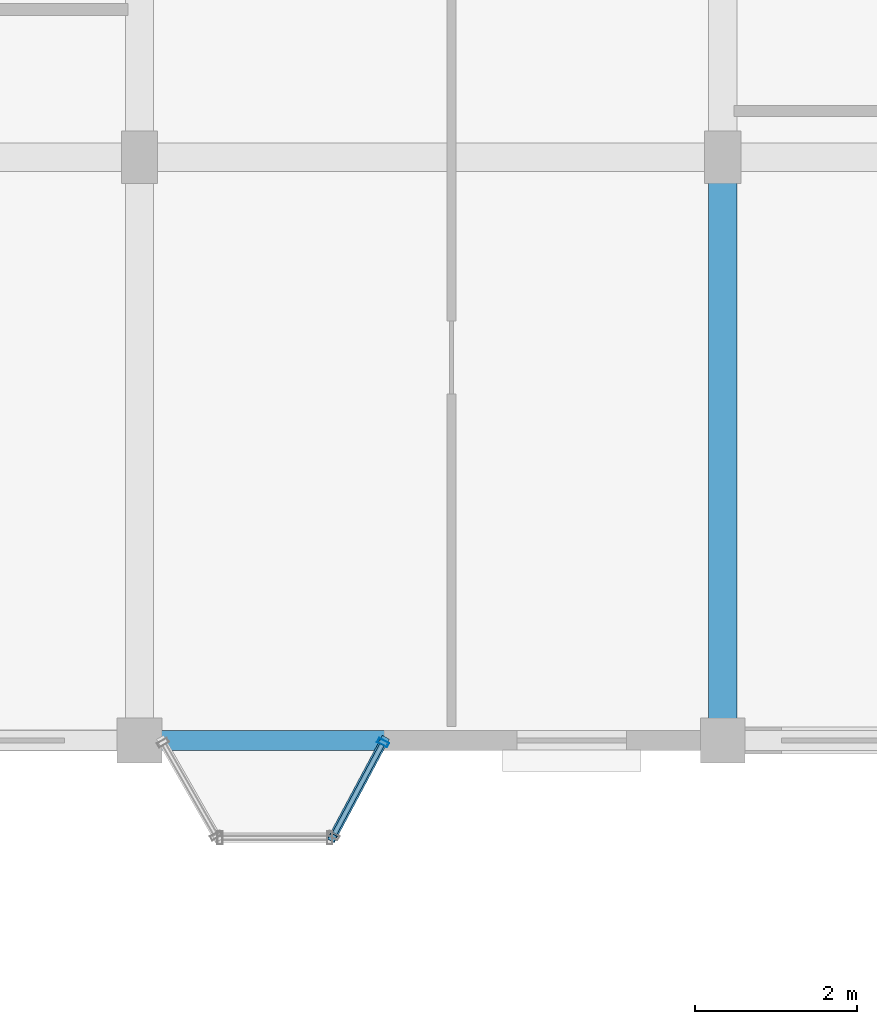
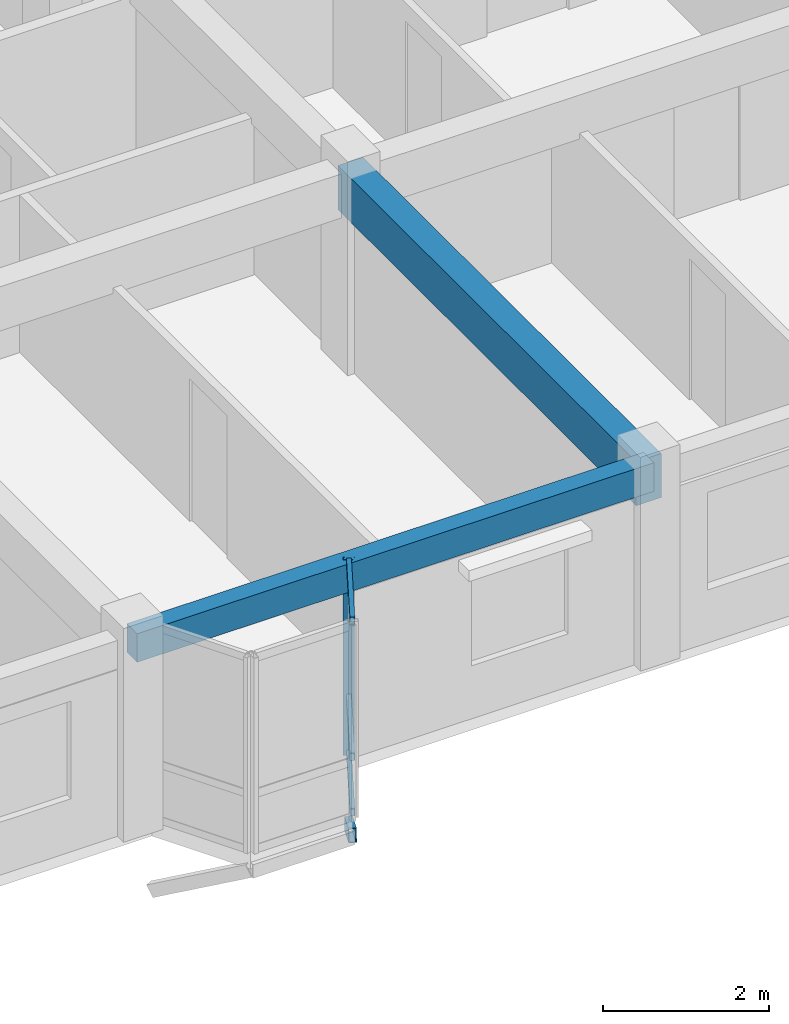
# One storey, part 39 of 77: 5 members, 2 beams, 1 element without a shape of its own.
"""IFC4 building model written with IfcOpenShell, lengths in metres."""

from ifc_helpers import new_model, si_unit, direction, frame, origin, origin_2d, place, context, subcontext, project, spatial, rectangle, hollow_rectangle, extrude, material, layer, layer_set, material_profile, profile_set, type_object, element, aggregate, save


model = new_model("IFC4")

# Units and contexts
model_context = context("Model", 3, precision=1e-05, world=origin(), true_north=direction((0.0, 1.0)))
body_context = subcontext(model_context, "Body", "Model", "MODEL_VIEW")
ifc_project = project(units=[si_unit("LENGTHUNIT", "METRE"), si_unit("AREAUNIT", "SQUARE_METRE"), si_unit("VOLUMEUNIT", "CUBIC_METRE"), si_unit("PLANEANGLEUNIT", "RADIAN"), si_unit("MASSUNIT", "GRAM", prefix="KILO"), si_unit("THERMODYNAMICTEMPERATUREUNIT", "KELVIN"), si_unit("POWERUNIT", "WATT")], contexts=[model_context])

# Site, building, storey
site_placement = place(None, origin())
site = spatial("IfcSite", under=ifc_project, at=site_placement, CompositionType="ELEMENT")
building_placement = place(site_placement, origin())
building = spatial("IfcBuilding", under=site, at=building_placement, Name="Tavuni Mirador Residences", CompositionType="ELEMENT")
storey_placement = place(building_placement, frame((0.0, 0.0, 10.800048828125)))
storey = spatial("IfcBuildingStorey", under=building, at=storey_placement, Name="L03", CompositionType="ELEMENT", Elevation=10.800048828125)

# Beams
ifc_material_1 = material(Name="Precast concrete C40/50", Category="concrete")
ifc_material_profile_1 = material_profile(ifc_material_1, rectangle(XDim=0.35009765625, YDim=0.64990234375, at=origin_2d()), Name="PC 350x650", Category="concrete")
ifc_profile_set_1 = profile_set([ifc_material_profile_1], Name="Precast concrete C40/50")
beam_type_1 = type_object("IfcBeamType", Name="BT-B650", PredefinedType="BEAM", material=ifc_profile_set_1)
beam_1_placement = place(storey_placement, frame((39.60009765625, 144.0, 2.56005859375), z_axis=(0.0, 1.0, 0.0), x_axis=(-1.0, 0.0, 0.0)))
element("IfcBeam", 1, at=beam_1_placement, inside=storey, type_object=beam_type_1, Name="BMY-BLK-C-L03-04-00", PredefinedType="BEAM", context=body_context, shape_type="SweptSolid", body=[
    extrude(rectangle(XDim=0.35009765625, YDim=0.64990234375, at=origin_2d()), origin(), (0.0, 0.0, 1.0), 7.199951171875),
])
ifc_material_profile_2 = material_profile(ifc_material_1, rectangle(XDim=0.25, YDim=0.419921875, at=origin_2d()), Name="PC 250x420", Category="concrete")
ifc_profile_set_2 = profile_set([ifc_material_profile_2], Name="Precast concrete C40/50")
beam_type_2 = type_object("IfcBeamType", Name="BT-SP420", PredefinedType="SPANDREL", material=ifc_profile_set_2)
beam_2_placement = place(storey_placement, frame((32.39990234375, 144.0, 2.675048828125), z_axis=(1.0, 0.0, 0.0), x_axis=(0.0, 1.0, 0.0)))
element("IfcBeam", 2, at=beam_2_placement, inside=storey, type_object=beam_type_2, Name="BMX-BLK-C-L03-03-00", PredefinedType="SPANDREL", context=body_context, shape_type="SweptSolid", body=[
    extrude(rectangle(XDim=0.25, YDim=0.419921875, at=origin_2d()), origin(), (0.0, 0.0, 1.0), 7.2001953125),
])

# Curtain wall, members
ifc_material_2 = material(Name="Anodised aluminium", Category="aluminium")
ifc_layer = layer(ifc_material_2, 0.1650390625, Name="Anodised aluminium", Category="aluminium")
ifc_layer_set = layer_set([ifc_layer], Name="Anodised aluminium")
curtain_wall_type = type_object("IfcCurtainWallType", Name="CWT-MIR-A", PredefinedType="NOTDEFINED", material=ifc_layer_set)
curtain_wall_placement = place(storey_placement, origin())
curtain_wall = element("IfcCurtainWall", 3, at=curtain_wall_placement, inside=storey, type_object=curtain_wall_type, Name="CW-MIR-C-S2-L03-M2", PredefinedType="NOTDEFINED")
ifc_material_profile_3 = material_profile(ifc_material_2, hollow_rectangle(XDim=0.06005859375, YDim=0.139892578125, WallThickness=0.00390625, at=origin_2d()), Name="ALU 60x140x4.0", Category="aluminium")
ifc_profile_set_3 = profile_set([ifc_material_profile_3], Name="Anodised aluminium")
member_type_1 = type_object("IfcMemberType", Name="CWM-140", PredefinedType="MULLION", material=ifc_profile_set_3)
member_1_placement = place(storey_placement, frame((35.40576171875, 143.9736328125, 0.0), z_axis=(0.0, 0.0, 1.0), x_axis=(0.470588235296, 0.882352941175, 0.0)))
member_1 = element("IfcMember", 4, at=member_1_placement, type_object=member_type_1, Name="CW-01 mullion 2", PredefinedType="MULLION", context=body_context, shape_type="SweptSolid", body=[
    extrude(hollow_rectangle(XDim=0.06005859375, YDim=0.139892578125, WallThickness=0.00390625, at=origin_2d()), origin(), (0.0, 0.0, 1.0), 2.885009765625),
])
ifc_material_profile_4 = material_profile(ifc_material_2, hollow_rectangle(XDim=0.06005859375, YDim=0.110107421875, WallThickness=0.00390625, at=origin_2d()), Name="ALU 60x110x4.0", Category="aluminium")
ifc_profile_set_4 = profile_set([ifc_material_profile_4], Name="Anodised aluminium")
member_type_2 = type_object("IfcMemberType", Name="CWT-110", PredefinedType="USERDEFINED", material=ifc_profile_set_4)
member_2_placement = place(storey_placement, frame((34.808349609375, 142.85302734375, 0.030029296875), z_axis=(0.470608675382, 0.882342039492, 0.0), x_axis=(-0.882342039492, 0.470608675382, 0.0)))
member_2 = element("IfcMember", 5, at=member_2_placement, type_object=member_type_2, Name="CW-01 transom 1.1", ObjectType="TRANSOM", PredefinedType="USERDEFINED", context=body_context, shape_type="SweptSolid", body=[
    extrude(hollow_rectangle(XDim=0.06005859375, YDim=0.110107421875, WallThickness=0.00390625, at=origin_2d()), origin(), (0.0, 0.0, 1.0), 1.239990234375),
])
member_3_placement = place(storey_placement, frame((34.808349609375, 142.85302734375, 0.849853515625), z_axis=(0.470608675382, 0.882342039492, 0.0), x_axis=(-0.882342039492, 0.470608675382, 0.0)))
member_3 = element("IfcMember", 6, at=member_3_placement, type_object=member_type_2, Name="CW-01 transom 1.2", ObjectType="TRANSOM", PredefinedType="USERDEFINED", context=body_context, shape_type="SweptSolid", body=[
    extrude(hollow_rectangle(XDim=0.06005859375, YDim=0.110107421875, WallThickness=0.00390625, at=origin_2d()), origin(), (0.0, 0.0, 1.0), 1.239990234375),
])
member_4_placement = place(storey_placement, frame((34.808349609375, 142.85302734375, 2.85498046875), z_axis=(0.470608675382, 0.882342039492, 0.0), x_axis=(-0.882342039492, 0.470608675382, 0.0)))
member_4 = element("IfcMember", 7, at=member_4_placement, type_object=member_type_2, Name="CW-01 transom 1.3", ObjectType="TRANSOM", PredefinedType="USERDEFINED", context=body_context, shape_type="SweptSolid", body=[
    extrude(hollow_rectangle(XDim=0.06005859375, YDim=0.110107421875, WallThickness=0.00390625, at=origin_2d()), origin(), (0.0, 0.0, 1.0), 1.239990234375),
])
aggregate(curtain_wall, [member_1, member_2, member_3, member_4])

# Member
ifc_material_3 = material(Name="Structural steel S355", Category="steel")
ifc_material_profile_5 = material_profile(ifc_material_3, hollow_rectangle(XDim=0.10009765625, YDim=0.179931640625, WallThickness=0.008056640625, at=origin_2d()), Name="RHS 180x100x8.0", Category="steel")
ifc_profile_set_5 = profile_set([ifc_material_profile_5], Name="Structural steel S355")
member_type_3 = type_object("IfcMemberType", Name="MT-BR-RHS180", PredefinedType="BRACE", material=ifc_profile_set_5)
member_5_placement = place(storey_placement, frame((35.419921875, 144.0, -1.050048828125), z_axis=(-0.407530885562, -0.764217589674, 0.499890040855), x_axis=(0.882377788047, -0.47054164445, 0.0)))
element("IfcMember", 8, at=member_5_placement, inside=storey, type_object=member_type_3, Name="MBRK-MIR-C-S2-L03-2", PredefinedType="BRACE", context=body_context, shape_type="SweptSolid", body=[
    extrude(hollow_rectangle(XDim=0.10009765625, YDim=0.179931640625, WallThickness=0.008056640625, at=origin_2d()), origin(), (0.0, 0.0, 1.0), 1.570068359375),
])

save(model, "model.ifc")
